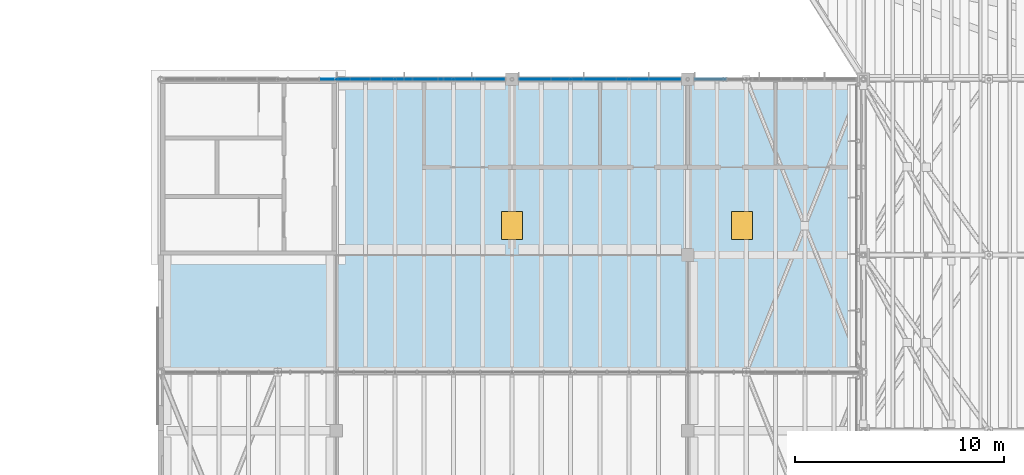
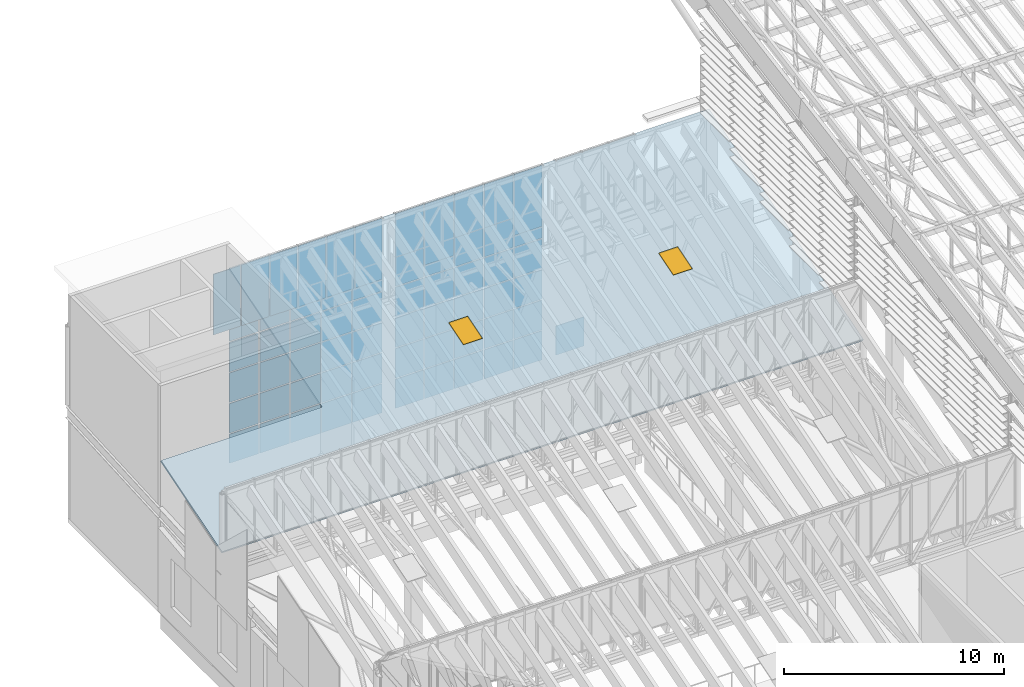
# One storey, part 61 of 91: 62 plates, 2 windows, 1 slab, 2 openings, 5 elements without a shape of their own.
"""IFC4 building model written with IfcOpenShell, lengths in metres."""

from ifc_helpers import new_model, si_unit, direction, frame, origin, origin_2d, place, context, subcontext, project, spatial, polyline, rectangle, outline, extrude, material, layer, layer_set, type_object, element, fill, aggregate, save


model = new_model("IFC4")

# Units and contexts
model_context = context("Model", 3, precision=1e-05, world=origin(), true_north=direction((0.0, 1.0)))
body_context = subcontext(model_context, "Body", "Model", "MODEL_VIEW")
ifc_project = project(units=[si_unit("LENGTHUNIT", "METRE"), si_unit("AREAUNIT", "SQUARE_METRE"), si_unit("VOLUMEUNIT", "CUBIC_METRE"), si_unit("PLANEANGLEUNIT", "RADIAN"), si_unit("MASSUNIT", "GRAM", prefix="KILO")], contexts=[model_context])

# Site, building, storey
site_placement = place(None, origin())
site = spatial("IfcSite", under=ifc_project, at=site_placement, CompositionType="ELEMENT")
building_placement = place(site_placement, origin())
building = spatial("IfcBuilding", under=site, at=building_placement, Name="Almond Square Museum", CompositionType="ELEMENT")
storey_placement = place(building_placement, frame((0.0, 0.0, 30.0)))
storey = spatial("IfcBuildingStorey", under=building, at=storey_placement, Name="L05", CompositionType="ELEMENT", Elevation=30.0)

# Slab, openings, windows
ifc_material_1 = material(Name="Insulated aluminium roof deck", Category="aluminium")
ifc_layer_1 = layer(ifc_material_1, 0.10009765625)
ifc_layer_set_1 = layer_set([ifc_layer_1], Name="Insulated aluminium roof deck")
slab_type = type_object("IfcSlabType", Name="Insulated metal deck roof 100", PredefinedType="ROOF", material=ifc_layer_set_1)
slab_placement = place(storey_placement, frame((106.800048828125, 109.199951171875, 10.880126953125), z_axis=(-1.046364e-06, -0.292359863187, 0.956308376203), x_axis=(1e-12, -0.956308376204, -0.292359863187)))
slab = element("IfcSlab", 1, at=slab_placement, inside=storey, type_object=slab_type, Name="Roof covering AR3", PredefinedType="ROOF", context=body_context, shape_type="SweptSolid", body=[
    extrude(outline(polyline([(0.0, 0.0), (14.63962604652195, 8.470329472543003e-22), (14.639626046497412, -33.600097656231604), (8.835998271744621, -33.60009765619506), (8.835998271750757, -25.19995117182466), (8.835764798026101, -25.195068359399354), (8.834992999932403, -25.190185546879118), (8.83375425438939, -25.18554687513325), (8.831977184477331, -25.18090820329246), (8.829895263920893, -25.176513671907053), (8.827346395915134, -25.17236328129602), (8.824259203540334, -25.168457031215063), (8.820705063716215, -25.16455078128347), (8.816846073247715, -25.161376953057275), (8.812753609054555, -25.15844726553076), (8.808427671136736, -25.156005859328932), (8.803634785769598, -25.153808593901474), (8.799003997207393, -25.152343750030035), (8.793906261195872, -25.151123046932963), (8.78880852518435, -25.150146484460894), (8.783710789172828, -25.15014648448883), (-1.8367208674352804e-11, -25.150146484361233), (0.0, 0.0)])), origin(), (0.0, 0.0, -1.0), 0.10009765625),
])
opening_1_placement = place(slab_placement, frame((7.31982421875, -16.800048828125, 0.010009765625), z_axis=(0.0, 0.0, -1.0), x_axis=(3.422656e-06, 0.999999999994, 0.0)))
opening_1 = element("IfcOpeningElement", 2, at=opening_1_placement, cuts=slab, Name="Opening RL16", PredefinedType="OPENING", context=body_context, shape_type="SweptSolid", body=[
    extrude(rectangle(XDim=1.0, YDim=1.39990234375, at=origin_2d()), origin(), (0.0, 0.0, 1.0), 0.1201171875),
])
opening_2_placement = place(slab_placement, frame((7.31982421875, -5.800048828125, 0.010009765625), z_axis=(0.0, 0.0, -1.0), x_axis=(3.422656e-06, 0.999999999994, 0.0)))
opening_2 = element("IfcOpeningElement", 3, at=opening_2_placement, cuts=slab, Name="Opening RL17", PredefinedType="OPENING", context=body_context, shape_type="SweptSolid", body=[
    extrude(rectangle(XDim=1.0, YDim=1.39990234375, at=origin_2d()), origin(), (0.0, 0.0, 1.0), 0.1201171875),
])
ifc_material_2 = material(Name="Aluminium frame and laminated glass", Category="aluminium")
window_type = type_object("IfcWindowType", Name="Rooflight 1000 x 1400", PartitioningType="SINGLE_PANEL", PredefinedType="SKYLIGHT", material=ifc_material_2)
window_1_placement = place(opening_1_placement, frame((0.0, 0.0, 0.010009765625)))
window_1 = element("IfcWindow", 4, at=window_1_placement, inside=storey, type_object=window_type, Name="Rooflight", OverallHeight=1.39990234375, OverallWidth=1.0, PartitioningType="SINGLE_PANEL", PredefinedType="SKYLIGHT", context=body_context, shape_type="SweptSolid", body=[
    extrude(rectangle(XDim=1.0, YDim=1.39990234375, at=origin_2d()), origin(), (0.0, 0.0, 1.0), 0.050048828125),
])
fill(opening_1, window_1)
window_2_placement = place(opening_2_placement, frame((0.0, 0.0, 0.010009765625)))
window_2 = element("IfcWindow", 5, at=window_2_placement, inside=storey, type_object=window_type, Name="Rooflight", OverallHeight=1.39990234375, OverallWidth=1.0, PartitioningType="SINGLE_PANEL", PredefinedType="SKYLIGHT", context=body_context, shape_type="SweptSolid", body=[
    extrude(rectangle(XDim=1.0, YDim=1.39990234375, at=origin_2d()), origin(), (0.0, 0.0, 1.0), 0.050048828125),
])
fill(opening_2, window_2)

# Curtain wall, plate
ifc_material_3 = material(Name="Aluminium and laminated glass", Category="aluminium")
curtain_wall_type = type_object("IfcCurtainWallType", Name="Unitised curtain wall 1500 module", PredefinedType="NOTDEFINED", material=ifc_material_3)
curtain_wall_1_placement = place(storey_placement, origin())
curtain_wall_1 = element("IfcCurtainWall", 6, at=curtain_wall_1_placement, inside=storey, type_object=curtain_wall_type, Name="Curtain wall CW-53", PredefinedType="NOTDEFINED")
ifc_material_4 = material(Name="Laminated hurricane-rated glass", Category="glass")
ifc_layer_2 = layer(ifc_material_4, 0.035888671875)
ifc_layer_set_2 = layer_set([ifc_layer_2], Name="Laminated hurricane-rated glass")
plate_type = type_object("IfcPlateType", Name="Laminated glass panel 36", PredefinedType="CURTAIN_PANEL", material=ifc_layer_set_2)
plate_1_placement = place(storey_placement, frame((99.4951171875, 109.199951171875, 0.06005859375), z_axis=(0.0, 0.0, 1.0), x_axis=(1.0, 0.0, 0.0)))
plate_1 = element("IfcPlate", 7, at=plate_1_placement, type_object=plate_type, Name="CW-53 panel 1.1", PredefinedType="CURTAIN_PANEL", context=body_context, shape_type="SweptSolid", body=[
    extrude(rectangle(XDim=1.469970703125, YDim=0.035888671875, at=origin_2d()), origin(), (0.0, 0.0, 1.0), 1.60595703125),
])
aggregate(curtain_wall_1, [plate_1])

# Curtain wall, plates
curtain_wall_2_placement = place(storey_placement, origin())
curtain_wall_2 = element("IfcCurtainWall", 8, at=curtain_wall_2_placement, inside=storey, type_object=curtain_wall_type, Name="Curtain wall CW-54", PredefinedType="NOTDEFINED")
plate_2_placement = place(storey_placement, frame((91.094970703125, 109.199951171875, 0.06005859375), z_axis=(0.0, 0.0, 1.0), x_axis=(1.0, 0.0, 0.0)))
plate_2 = element("IfcPlate", 9, at=plate_2_placement, type_object=plate_type, Name="CW-54 panel 1.1", PredefinedType="CURTAIN_PANEL", context=body_context, shape_type="SweptSolid", body=[
    extrude(rectangle(XDim=1.469970703125, YDim=0.035888671875, at=origin_2d()), origin(), (0.0, 0.0, 1.0), 1.60595703125),
])
plate_3_placement = place(storey_placement, frame((91.094970703125, 109.199951171875, 1.72607421875), z_axis=(0.0, 0.0, 1.0), x_axis=(1.0, 0.0, 0.0)))
plate_3 = element("IfcPlate", 10, at=plate_3_placement, type_object=plate_type, Name="CW-54 panel 1.2", PredefinedType="CURTAIN_PANEL", context=body_context, shape_type="SweptSolid", body=[
    extrude(rectangle(XDim=1.469970703125, YDim=0.035888671875, at=origin_2d()), origin(), (0.0, 0.0, 1.0), 1.635986328125),
])
plate_4_placement = place(storey_placement, frame((91.094970703125, 109.199951171875, 3.42236328125), z_axis=(0.0, 0.0, 1.0), x_axis=(1.0, 0.0, 0.0)))
plate_4 = element("IfcPlate", 11, at=plate_4_placement, type_object=plate_type, Name="CW-54 panel 1.3", PredefinedType="CURTAIN_PANEL", context=body_context, shape_type="SweptSolid", body=[
    extrude(rectangle(XDim=1.469970703125, YDim=0.035888671875, at=origin_2d()), origin(), (0.0, 0.0, 1.0), 1.635986328125),
])
plate_5_placement = place(storey_placement, frame((91.094970703125, 109.199951171875, 5.1181640625), z_axis=(0.0, 0.0, 1.0), x_axis=(1.0, 0.0, 0.0)))
plate_5 = element("IfcPlate", 12, at=plate_5_placement, type_object=plate_type, Name="CW-54 panel 1.4", PredefinedType="CURTAIN_PANEL", context=body_context, shape_type="SweptSolid", body=[
    extrude(rectangle(XDim=1.469970703125, YDim=0.035888671875, at=origin_2d()), origin(), (0.0, 0.0, 1.0), 1.635986328125),
])
plate_6_placement = place(storey_placement, frame((91.094970703125, 109.199951171875, 6.814208984375), z_axis=(0.0, 0.0, 1.0), x_axis=(1.0, 0.0, 0.0)))
plate_6 = element("IfcPlate", 13, at=plate_6_placement, type_object=plate_type, Name="CW-54 panel 1.5", PredefinedType="CURTAIN_PANEL", context=body_context, shape_type="SweptSolid", body=[
    extrude(rectangle(XDim=1.469970703125, YDim=0.035888671875, at=origin_2d()), origin(), (0.0, 0.0, 1.0), 1.60595703125),
])
plate_7_placement = place(storey_placement, frame((92.639892578125, 109.199951171875, 0.06005859375), z_axis=(0.0, 0.0, 1.0), x_axis=(1.0, 0.0, 0.0)))
plate_7 = element("IfcPlate", 14, at=plate_7_placement, type_object=plate_type, Name="CW-54 panel 2.1", PredefinedType="CURTAIN_PANEL", context=body_context, shape_type="SweptSolid", body=[
    extrude(rectangle(XDim=1.5, YDim=0.035888671875, at=origin_2d()), origin(), (0.0, 0.0, 1.0), 1.60595703125),
])
plate_8_placement = place(storey_placement, frame((92.639892578125, 109.199951171875, 1.72607421875), z_axis=(0.0, 0.0, 1.0), x_axis=(1.0, 0.0, 0.0)))
plate_8 = element("IfcPlate", 15, at=plate_8_placement, type_object=plate_type, Name="CW-54 panel 2.2", PredefinedType="CURTAIN_PANEL", context=body_context, shape_type="SweptSolid", body=[
    extrude(rectangle(XDim=1.5, YDim=0.035888671875, at=origin_2d()), origin(), (0.0, 0.0, 1.0), 1.635986328125),
])
plate_9_placement = place(storey_placement, frame((92.639892578125, 109.199951171875, 3.42236328125), z_axis=(0.0, 0.0, 1.0), x_axis=(1.0, 0.0, 0.0)))
plate_9 = element("IfcPlate", 16, at=plate_9_placement, type_object=plate_type, Name="CW-54 panel 2.3", PredefinedType="CURTAIN_PANEL", context=body_context, shape_type="SweptSolid", body=[
    extrude(rectangle(XDim=1.5, YDim=0.035888671875, at=origin_2d()), origin(), (0.0, 0.0, 1.0), 1.635986328125),
])
plate_10_placement = place(storey_placement, frame((92.639892578125, 109.199951171875, 5.1181640625), z_axis=(0.0, 0.0, 1.0), x_axis=(1.0, 0.0, 0.0)))
plate_10 = element("IfcPlate", 17, at=plate_10_placement, type_object=plate_type, Name="CW-54 panel 2.4", PredefinedType="CURTAIN_PANEL", context=body_context, shape_type="SweptSolid", body=[
    extrude(rectangle(XDim=1.5, YDim=0.035888671875, at=origin_2d()), origin(), (0.0, 0.0, 1.0), 1.635986328125),
])
plate_11_placement = place(storey_placement, frame((92.639892578125, 109.199951171875, 6.814208984375), z_axis=(0.0, 0.0, 1.0), x_axis=(1.0, 0.0, 0.0)))
plate_11 = element("IfcPlate", 18, at=plate_11_placement, type_object=plate_type, Name="CW-54 panel 2.5", PredefinedType="CURTAIN_PANEL", context=body_context, shape_type="SweptSolid", body=[
    extrude(rectangle(XDim=1.5, YDim=0.035888671875, at=origin_2d()), origin(), (0.0, 0.0, 1.0), 1.60595703125),
])
plate_12_placement = place(storey_placement, frame((94.199951171875, 109.199951171875, 0.06005859375), z_axis=(0.0, 0.0, 1.0), x_axis=(1.0, 0.0, 0.0)))
plate_12 = element("IfcPlate", 19, at=plate_12_placement, type_object=plate_type, Name="CW-54 panel 3.1", PredefinedType="CURTAIN_PANEL", context=body_context, shape_type="SweptSolid", body=[
    extrude(rectangle(XDim=1.5, YDim=0.035888671875, at=origin_2d()), origin(), (0.0, 0.0, 1.0), 1.60595703125),
])
plate_13_placement = place(storey_placement, frame((94.199951171875, 109.199951171875, 1.72607421875), z_axis=(0.0, 0.0, 1.0), x_axis=(1.0, 0.0, 0.0)))
plate_13 = element("IfcPlate", 20, at=plate_13_placement, type_object=plate_type, Name="CW-54 panel 3.2", PredefinedType="CURTAIN_PANEL", context=body_context, shape_type="SweptSolid", body=[
    extrude(rectangle(XDim=1.5, YDim=0.035888671875, at=origin_2d()), origin(), (0.0, 0.0, 1.0), 1.635986328125),
])
plate_14_placement = place(storey_placement, frame((94.199951171875, 109.199951171875, 3.42236328125), z_axis=(0.0, 0.0, 1.0), x_axis=(1.0, 0.0, 0.0)))
plate_14 = element("IfcPlate", 21, at=plate_14_placement, type_object=plate_type, Name="CW-54 panel 3.3", PredefinedType="CURTAIN_PANEL", context=body_context, shape_type="SweptSolid", body=[
    extrude(rectangle(XDim=1.5, YDim=0.035888671875, at=origin_2d()), origin(), (0.0, 0.0, 1.0), 1.635986328125),
])
plate_15_placement = place(storey_placement, frame((94.199951171875, 109.199951171875, 5.1181640625), z_axis=(0.0, 0.0, 1.0), x_axis=(1.0, 0.0, 0.0)))
plate_15 = element("IfcPlate", 22, at=plate_15_placement, type_object=plate_type, Name="CW-54 panel 3.4", PredefinedType="CURTAIN_PANEL", context=body_context, shape_type="SweptSolid", body=[
    extrude(rectangle(XDim=1.5, YDim=0.035888671875, at=origin_2d()), origin(), (0.0, 0.0, 1.0), 1.635986328125),
])
plate_16_placement = place(storey_placement, frame((94.199951171875, 109.199951171875, 6.814208984375), z_axis=(0.0, 0.0, 1.0), x_axis=(1.0, 0.0, 0.0)))
plate_16 = element("IfcPlate", 23, at=plate_16_placement, type_object=plate_type, Name="CW-54 panel 3.5", PredefinedType="CURTAIN_PANEL", context=body_context, shape_type="SweptSolid", body=[
    extrude(rectangle(XDim=1.5, YDim=0.035888671875, at=origin_2d()), origin(), (0.0, 0.0, 1.0), 1.60595703125),
])
plate_17_placement = place(storey_placement, frame((95.760009765625, 109.199951171875, 0.06005859375), z_axis=(0.0, 0.0, 1.0), x_axis=(1.0, 0.0, 0.0)))
plate_17 = element("IfcPlate", 24, at=plate_17_placement, type_object=plate_type, Name="CW-54 panel 4.1", PredefinedType="CURTAIN_PANEL", context=body_context, shape_type="SweptSolid", body=[
    extrude(rectangle(XDim=1.5, YDim=0.035888671875, at=origin_2d()), origin(), (0.0, 0.0, 1.0), 1.60595703125),
])
plate_18_placement = place(storey_placement, frame((95.760009765625, 109.199951171875, 1.72607421875), z_axis=(0.0, 0.0, 1.0), x_axis=(1.0, 0.0, 0.0)))
plate_18 = element("IfcPlate", 25, at=plate_18_placement, type_object=plate_type, Name="CW-54 panel 4.2", PredefinedType="CURTAIN_PANEL", context=body_context, shape_type="SweptSolid", body=[
    extrude(rectangle(XDim=1.5, YDim=0.035888671875, at=origin_2d()), origin(), (0.0, 0.0, 1.0), 1.635986328125),
])
plate_19_placement = place(storey_placement, frame((95.760009765625, 109.199951171875, 3.42236328125), z_axis=(0.0, 0.0, 1.0), x_axis=(1.0, 0.0, 0.0)))
plate_19 = element("IfcPlate", 26, at=plate_19_placement, type_object=plate_type, Name="CW-54 panel 4.3", PredefinedType="CURTAIN_PANEL", context=body_context, shape_type="SweptSolid", body=[
    extrude(rectangle(XDim=1.5, YDim=0.035888671875, at=origin_2d()), origin(), (0.0, 0.0, 1.0), 1.635986328125),
])
plate_20_placement = place(storey_placement, frame((95.760009765625, 109.199951171875, 5.1181640625), z_axis=(0.0, 0.0, 1.0), x_axis=(1.0, 0.0, 0.0)))
plate_20 = element("IfcPlate", 27, at=plate_20_placement, type_object=plate_type, Name="CW-54 panel 4.4", PredefinedType="CURTAIN_PANEL", context=body_context, shape_type="SweptSolid", body=[
    extrude(rectangle(XDim=1.5, YDim=0.035888671875, at=origin_2d()), origin(), (0.0, 0.0, 1.0), 1.635986328125),
])
plate_21_placement = place(storey_placement, frame((95.760009765625, 109.199951171875, 6.814208984375), z_axis=(0.0, 0.0, 1.0), x_axis=(1.0, 0.0, 0.0)))
plate_21 = element("IfcPlate", 28, at=plate_21_placement, type_object=plate_type, Name="CW-54 panel 4.5", PredefinedType="CURTAIN_PANEL", context=body_context, shape_type="SweptSolid", body=[
    extrude(rectangle(XDim=1.5, YDim=0.035888671875, at=origin_2d()), origin(), (0.0, 0.0, 1.0), 1.60595703125),
])
plate_22_placement = place(storey_placement, frame((97.304931640625, 109.199951171875, 0.06005859375), z_axis=(0.0, 0.0, 1.0), x_axis=(1.0, 0.0, 0.0)))
plate_22 = element("IfcPlate", 29, at=plate_22_placement, type_object=plate_type, Name="CW-54 panel 5.1", PredefinedType="CURTAIN_PANEL", context=body_context, shape_type="SweptSolid", body=[
    extrude(rectangle(XDim=1.469970703125, YDim=0.035888671875, at=origin_2d()), origin(), (0.0, 0.0, 1.0), 1.60595703125),
])
plate_23_placement = place(storey_placement, frame((97.304931640625, 109.199951171875, 1.72607421875), z_axis=(0.0, 0.0, 1.0), x_axis=(1.0, 0.0, 0.0)))
plate_23 = element("IfcPlate", 30, at=plate_23_placement, type_object=plate_type, Name="CW-54 panel 5.2", PredefinedType="CURTAIN_PANEL", context=body_context, shape_type="SweptSolid", body=[
    extrude(rectangle(XDim=1.469970703125, YDim=0.035888671875, at=origin_2d()), origin(), (0.0, 0.0, 1.0), 1.635986328125),
])
plate_24_placement = place(storey_placement, frame((97.304931640625, 109.199951171875, 3.42236328125), z_axis=(0.0, 0.0, 1.0), x_axis=(1.0, 0.0, 0.0)))
plate_24 = element("IfcPlate", 31, at=plate_24_placement, type_object=plate_type, Name="CW-54 panel 5.3", PredefinedType="CURTAIN_PANEL", context=body_context, shape_type="SweptSolid", body=[
    extrude(rectangle(XDim=1.469970703125, YDim=0.035888671875, at=origin_2d()), origin(), (0.0, 0.0, 1.0), 1.635986328125),
])
plate_25_placement = place(storey_placement, frame((97.304931640625, 109.199951171875, 5.1181640625), z_axis=(0.0, 0.0, 1.0), x_axis=(1.0, 0.0, 0.0)))
plate_25 = element("IfcPlate", 32, at=plate_25_placement, type_object=plate_type, Name="CW-54 panel 5.4", PredefinedType="CURTAIN_PANEL", context=body_context, shape_type="SweptSolid", body=[
    extrude(rectangle(XDim=1.469970703125, YDim=0.035888671875, at=origin_2d()), origin(), (0.0, 0.0, 1.0), 1.635986328125),
])
plate_26_placement = place(storey_placement, frame((97.304931640625, 109.199951171875, 6.814208984375), z_axis=(0.0, 0.0, 1.0), x_axis=(1.0, 0.0, 0.0)))
plate_26 = element("IfcPlate", 33, at=plate_26_placement, type_object=plate_type, Name="CW-54 panel 5.5", PredefinedType="CURTAIN_PANEL", context=body_context, shape_type="SweptSolid", body=[
    extrude(rectangle(XDim=1.469970703125, YDim=0.035888671875, at=origin_2d()), origin(), (0.0, 0.0, 1.0), 1.60595703125),
])
aggregate(curtain_wall_2, [plate_2, plate_3, plate_4, plate_5, plate_6, plate_7, plate_8, plate_9, plate_10, plate_11, plate_12, plate_13, plate_14, plate_15, plate_16, plate_17, plate_18, plate_19, plate_20, plate_21, plate_22, plate_23, plate_24, plate_25, plate_26])

curtain_wall_3_placement = place(storey_placement, origin())
curtain_wall_3 = element("IfcCurtainWall", 34, at=curtain_wall_3_placement, inside=storey, type_object=curtain_wall_type, Name="Curtain wall CW-55", PredefinedType="NOTDEFINED")
plate_27_placement = place(storey_placement, frame((82.425048828125, 109.199951171875, 0.06005859375), z_axis=(0.0, 0.0, 1.0), x_axis=(1.0, 0.0, 0.0)))
plate_27 = element("IfcPlate", 35, at=plate_27_placement, type_object=plate_type, Name="CW-55 panel 1.1", PredefinedType="CURTAIN_PANEL", context=body_context, shape_type="SweptSolid", body=[
    extrude(rectangle(XDim=1.530029296875, YDim=0.035888671875, at=origin_2d()), origin(), (0.0, 0.0, 1.0), 1.60595703125),
])
plate_28_placement = place(storey_placement, frame((82.425048828125, 109.199951171875, 1.72607421875), z_axis=(0.0, 0.0, 1.0), x_axis=(1.0, 0.0, 0.0)))
plate_28 = element("IfcPlate", 36, at=plate_28_placement, type_object=plate_type, Name="CW-55 panel 1.2", PredefinedType="CURTAIN_PANEL", context=body_context, shape_type="SweptSolid", body=[
    extrude(rectangle(XDim=1.530029296875, YDim=0.035888671875, at=origin_2d()), origin(), (0.0, 0.0, 1.0), 1.635986328125),
])
plate_29_placement = place(storey_placement, frame((82.425048828125, 109.199951171875, 3.42236328125), z_axis=(0.0, 0.0, 1.0), x_axis=(1.0, 0.0, 0.0)))
plate_29 = element("IfcPlate", 37, at=plate_29_placement, type_object=plate_type, Name="CW-55 panel 1.3", PredefinedType="CURTAIN_PANEL", context=body_context, shape_type="SweptSolid", body=[
    extrude(rectangle(XDim=1.530029296875, YDim=0.035888671875, at=origin_2d()), origin(), (0.0, 0.0, 1.0), 1.635986328125),
])
plate_30_placement = place(storey_placement, frame((82.425048828125, 109.199951171875, 5.1181640625), z_axis=(0.0, 0.0, 1.0), x_axis=(1.0, 0.0, 0.0)))
plate_30 = element("IfcPlate", 38, at=plate_30_placement, type_object=plate_type, Name="CW-55 panel 1.4", PredefinedType="CURTAIN_PANEL", context=body_context, shape_type="SweptSolid", body=[
    extrude(rectangle(XDim=1.530029296875, YDim=0.035888671875, at=origin_2d()), origin(), (0.0, 0.0, 1.0), 1.635986328125),
])
plate_31_placement = place(storey_placement, frame((82.425048828125, 109.199951171875, 6.814208984375), z_axis=(0.0, 0.0, 1.0), x_axis=(1.0, 0.0, 0.0)))
plate_31 = element("IfcPlate", 39, at=plate_31_placement, type_object=plate_type, Name="CW-55 panel 1.5", PredefinedType="CURTAIN_PANEL", context=body_context, shape_type="SweptSolid", body=[
    extrude(rectangle(XDim=1.530029296875, YDim=0.035888671875, at=origin_2d()), origin(), (0.0, 0.0, 1.0), 1.60595703125),
])
plate_32_placement = place(storey_placement, frame((84.030029296875, 109.199951171875, 0.06005859375), z_axis=(0.0, 0.0, 1.0), x_axis=(1.0, 0.0, 0.0)))
plate_32 = element("IfcPlate", 40, at=plate_32_placement, type_object=plate_type, Name="CW-55 panel 2.1", PredefinedType="CURTAIN_PANEL", context=body_context, shape_type="SweptSolid", body=[
    extrude(rectangle(XDim=1.56005859375, YDim=0.035888671875, at=origin_2d()), origin(), (0.0, 0.0, 1.0), 1.60595703125),
])
plate_33_placement = place(storey_placement, frame((84.030029296875, 109.199951171875, 1.72607421875), z_axis=(0.0, 0.0, 1.0), x_axis=(1.0, 0.0, 0.0)))
plate_33 = element("IfcPlate", 41, at=plate_33_placement, type_object=plate_type, Name="CW-55 panel 2.2", PredefinedType="CURTAIN_PANEL", context=body_context, shape_type="SweptSolid", body=[
    extrude(rectangle(XDim=1.56005859375, YDim=0.035888671875, at=origin_2d()), origin(), (0.0, 0.0, 1.0), 1.635986328125),
])
plate_34_placement = place(storey_placement, frame((84.030029296875, 109.199951171875, 3.42236328125), z_axis=(0.0, 0.0, 1.0), x_axis=(1.0, 0.0, 0.0)))
plate_34 = element("IfcPlate", 42, at=plate_34_placement, type_object=plate_type, Name="CW-55 panel 2.3", PredefinedType="CURTAIN_PANEL", context=body_context, shape_type="SweptSolid", body=[
    extrude(rectangle(XDim=1.56005859375, YDim=0.035888671875, at=origin_2d()), origin(), (0.0, 0.0, 1.0), 1.635986328125),
])
plate_35_placement = place(storey_placement, frame((84.030029296875, 109.199951171875, 5.1181640625), z_axis=(0.0, 0.0, 1.0), x_axis=(1.0, 0.0, 0.0)))
plate_35 = element("IfcPlate", 43, at=plate_35_placement, type_object=plate_type, Name="CW-55 panel 2.4", PredefinedType="CURTAIN_PANEL", context=body_context, shape_type="SweptSolid", body=[
    extrude(rectangle(XDim=1.56005859375, YDim=0.035888671875, at=origin_2d()), origin(), (0.0, 0.0, 1.0), 1.635986328125),
])
plate_36_placement = place(storey_placement, frame((84.030029296875, 109.199951171875, 6.814208984375), z_axis=(0.0, 0.0, 1.0), x_axis=(1.0, 0.0, 0.0)))
plate_36 = element("IfcPlate", 44, at=plate_36_placement, type_object=plate_type, Name="CW-55 panel 2.5", PredefinedType="CURTAIN_PANEL", context=body_context, shape_type="SweptSolid", body=[
    extrude(rectangle(XDim=1.56005859375, YDim=0.035888671875, at=origin_2d()), origin(), (0.0, 0.0, 1.0), 1.60595703125),
])
plate_37_placement = place(storey_placement, frame((85.64990234375, 109.199951171875, 0.06005859375), z_axis=(0.0, 0.0, 1.0), x_axis=(1.0, 0.0, 0.0)))
plate_37 = element("IfcPlate", 45, at=plate_37_placement, type_object=plate_type, Name="CW-55 panel 3.1", PredefinedType="CURTAIN_PANEL", context=body_context, shape_type="SweptSolid", body=[
    extrude(rectangle(XDim=1.56005859375, YDim=0.035888671875, at=origin_2d()), origin(), (0.0, 0.0, 1.0), 1.60595703125),
])
plate_38_placement = place(storey_placement, frame((85.64990234375, 109.199951171875, 1.72607421875), z_axis=(0.0, 0.0, 1.0), x_axis=(1.0, 0.0, 0.0)))
plate_38 = element("IfcPlate", 46, at=plate_38_placement, type_object=plate_type, Name="CW-55 panel 3.2", PredefinedType="CURTAIN_PANEL", context=body_context, shape_type="SweptSolid", body=[
    extrude(rectangle(XDim=1.56005859375, YDim=0.035888671875, at=origin_2d()), origin(), (0.0, 0.0, 1.0), 1.635986328125),
])
plate_39_placement = place(storey_placement, frame((85.64990234375, 109.199951171875, 3.42236328125), z_axis=(0.0, 0.0, 1.0), x_axis=(1.0, 0.0, 0.0)))
plate_39 = element("IfcPlate", 47, at=plate_39_placement, type_object=plate_type, Name="CW-55 panel 3.3", PredefinedType="CURTAIN_PANEL", context=body_context, shape_type="SweptSolid", body=[
    extrude(rectangle(XDim=1.56005859375, YDim=0.035888671875, at=origin_2d()), origin(), (0.0, 0.0, 1.0), 1.635986328125),
])
plate_40_placement = place(storey_placement, frame((85.64990234375, 109.199951171875, 5.1181640625), z_axis=(0.0, 0.0, 1.0), x_axis=(1.0, 0.0, 0.0)))
plate_40 = element("IfcPlate", 48, at=plate_40_placement, type_object=plate_type, Name="CW-55 panel 3.4", PredefinedType="CURTAIN_PANEL", context=body_context, shape_type="SweptSolid", body=[
    extrude(rectangle(XDim=1.56005859375, YDim=0.035888671875, at=origin_2d()), origin(), (0.0, 0.0, 1.0), 1.635986328125),
])
plate_41_placement = place(storey_placement, frame((85.64990234375, 109.199951171875, 6.814208984375), z_axis=(0.0, 0.0, 1.0), x_axis=(1.0, 0.0, 0.0)))
plate_41 = element("IfcPlate", 49, at=plate_41_placement, type_object=plate_type, Name="CW-55 panel 3.5", PredefinedType="CURTAIN_PANEL", context=body_context, shape_type="SweptSolid", body=[
    extrude(rectangle(XDim=1.56005859375, YDim=0.035888671875, at=origin_2d()), origin(), (0.0, 0.0, 1.0), 1.60595703125),
])
plate_42_placement = place(storey_placement, frame((87.27001953125, 109.199951171875, 0.06005859375), z_axis=(0.0, 0.0, 1.0), x_axis=(1.0, 0.0, 0.0)))
plate_42 = element("IfcPlate", 50, at=plate_42_placement, type_object=plate_type, Name="CW-55 panel 4.1", PredefinedType="CURTAIN_PANEL", context=body_context, shape_type="SweptSolid", body=[
    extrude(rectangle(XDim=1.56005859375, YDim=0.035888671875, at=origin_2d()), origin(), (0.0, 0.0, 1.0), 1.60595703125),
])
plate_43_placement = place(storey_placement, frame((87.27001953125, 109.199951171875, 1.72607421875), z_axis=(0.0, 0.0, 1.0), x_axis=(1.0, 0.0, 0.0)))
plate_43 = element("IfcPlate", 51, at=plate_43_placement, type_object=plate_type, Name="CW-55 panel 4.2", PredefinedType="CURTAIN_PANEL", context=body_context, shape_type="SweptSolid", body=[
    extrude(rectangle(XDim=1.56005859375, YDim=0.035888671875, at=origin_2d()), origin(), (0.0, 0.0, 1.0), 1.635986328125),
])
plate_44_placement = place(storey_placement, frame((87.27001953125, 109.199951171875, 3.42236328125), z_axis=(0.0, 0.0, 1.0), x_axis=(1.0, 0.0, 0.0)))
plate_44 = element("IfcPlate", 52, at=plate_44_placement, type_object=plate_type, Name="CW-55 panel 4.3", PredefinedType="CURTAIN_PANEL", context=body_context, shape_type="SweptSolid", body=[
    extrude(rectangle(XDim=1.56005859375, YDim=0.035888671875, at=origin_2d()), origin(), (0.0, 0.0, 1.0), 1.635986328125),
])
plate_45_placement = place(storey_placement, frame((87.27001953125, 109.199951171875, 5.1181640625), z_axis=(0.0, 0.0, 1.0), x_axis=(1.0, 0.0, 0.0)))
plate_45 = element("IfcPlate", 53, at=plate_45_placement, type_object=plate_type, Name="CW-55 panel 4.4", PredefinedType="CURTAIN_PANEL", context=body_context, shape_type="SweptSolid", body=[
    extrude(rectangle(XDim=1.56005859375, YDim=0.035888671875, at=origin_2d()), origin(), (0.0, 0.0, 1.0), 1.635986328125),
])
plate_46_placement = place(storey_placement, frame((87.27001953125, 109.199951171875, 6.814208984375), z_axis=(0.0, 0.0, 1.0), x_axis=(1.0, 0.0, 0.0)))
plate_46 = element("IfcPlate", 54, at=plate_46_placement, type_object=plate_type, Name="CW-55 panel 4.5", PredefinedType="CURTAIN_PANEL", context=body_context, shape_type="SweptSolid", body=[
    extrude(rectangle(XDim=1.56005859375, YDim=0.035888671875, at=origin_2d()), origin(), (0.0, 0.0, 1.0), 1.60595703125),
])
plate_47_placement = place(storey_placement, frame((88.875, 109.199951171875, 0.06005859375), z_axis=(0.0, 0.0, 1.0), x_axis=(1.0, 0.0, 0.0)))
plate_47 = element("IfcPlate", 55, at=plate_47_placement, type_object=plate_type, Name="CW-55 panel 5.1", PredefinedType="CURTAIN_PANEL", context=body_context, shape_type="SweptSolid", body=[
    extrude(rectangle(XDim=1.530029296875, YDim=0.035888671875, at=origin_2d()), origin(), (0.0, 0.0, 1.0), 1.60595703125),
])
plate_48_placement = place(storey_placement, frame((88.875, 109.199951171875, 1.72607421875), z_axis=(0.0, 0.0, 1.0), x_axis=(1.0, 0.0, 0.0)))
plate_48 = element("IfcPlate", 56, at=plate_48_placement, type_object=plate_type, Name="CW-55 panel 5.2", PredefinedType="CURTAIN_PANEL", context=body_context, shape_type="SweptSolid", body=[
    extrude(rectangle(XDim=1.530029296875, YDim=0.035888671875, at=origin_2d()), origin(), (0.0, 0.0, 1.0), 1.635986328125),
])
plate_49_placement = place(storey_placement, frame((88.875, 109.199951171875, 3.42236328125), z_axis=(0.0, 0.0, 1.0), x_axis=(1.0, 0.0, 0.0)))
plate_49 = element("IfcPlate", 57, at=plate_49_placement, type_object=plate_type, Name="CW-55 panel 5.3", PredefinedType="CURTAIN_PANEL", context=body_context, shape_type="SweptSolid", body=[
    extrude(rectangle(XDim=1.530029296875, YDim=0.035888671875, at=origin_2d()), origin(), (0.0, 0.0, 1.0), 1.635986328125),
])
plate_50_placement = place(storey_placement, frame((88.875, 109.199951171875, 5.1181640625), z_axis=(0.0, 0.0, 1.0), x_axis=(1.0, 0.0, 0.0)))
plate_50 = element("IfcPlate", 58, at=plate_50_placement, type_object=plate_type, Name="CW-55 panel 5.4", PredefinedType="CURTAIN_PANEL", context=body_context, shape_type="SweptSolid", body=[
    extrude(rectangle(XDim=1.530029296875, YDim=0.035888671875, at=origin_2d()), origin(), (0.0, 0.0, 1.0), 1.635986328125),
])
plate_51_placement = place(storey_placement, frame((88.875, 109.199951171875, 6.814208984375), z_axis=(0.0, 0.0, 1.0), x_axis=(1.0, 0.0, 0.0)))
plate_51 = element("IfcPlate", 59, at=plate_51_placement, type_object=plate_type, Name="CW-55 panel 5.5", PredefinedType="CURTAIN_PANEL", context=body_context, shape_type="SweptSolid", body=[
    extrude(rectangle(XDim=1.530029296875, YDim=0.035888671875, at=origin_2d()), origin(), (0.0, 0.0, 1.0), 1.60595703125),
])
aggregate(curtain_wall_3, [plate_27, plate_28, plate_29, plate_30, plate_31, plate_32, plate_33, plate_34, plate_35, plate_36, plate_37, plate_38, plate_39, plate_40, plate_41, plate_42, plate_43, plate_44, plate_45, plate_46, plate_47, plate_48, plate_49, plate_50, plate_51])

curtain_wall_4_placement = place(storey_placement, origin())
curtain_wall_4 = element("IfcCurtainWall", 60, at=curtain_wall_4_placement, inside=storey, type_object=curtain_wall_type, Name="Rooflight glazing AG3", PredefinedType="NOTDEFINED")
plate_52_placement = place(storey_placement, frame((81.52490234375, 109.199951171875, 7.4599609375), z_axis=(0.0, 0.0, 1.0), x_axis=(1.0, 0.0, 0.0)))
plate_52 = element("IfcPlate", 61, at=plate_52_placement, type_object=plate_type, Name="CW-58 panel 6.1", PredefinedType="CURTAIN_PANEL", context=body_context, shape_type="SweptSolid", body=[
    extrude(rectangle(XDim=1.42626953125, YDim=0.035888671875, at=origin_2d()), origin(), (0.0, 0.0, 1.0), 3.3603515625),
])
plate_53_placement = place(storey_placement, frame((83.011474609375, 109.199951171875, 7.4599609375), z_axis=(0.0, 0.0, 1.0), x_axis=(1.0, 0.0, 0.0)))
plate_53 = element("IfcPlate", 62, at=plate_53_placement, type_object=plate_type, Name="CW-58 panel 7.1", PredefinedType="CURTAIN_PANEL", context=body_context, shape_type="SweptSolid", body=[
    extrude(rectangle(XDim=1.42626953125, YDim=0.035888671875, at=origin_2d()), origin(), (0.0, 0.0, 1.0), 3.3603515625),
])
plate_54_placement = place(storey_placement, frame((84.497802734375, 109.199951171875, 7.4599609375), z_axis=(0.0, 0.0, 1.0), x_axis=(1.0, 0.0, 0.0)))
plate_54 = element("IfcPlate", 63, at=plate_54_placement, type_object=plate_type, Name="CW-58 panel 8.1", PredefinedType="CURTAIN_PANEL", context=body_context, shape_type="SweptSolid", body=[
    extrude(rectangle(XDim=1.42626953125, YDim=0.035888671875, at=origin_2d()), origin(), (0.0, 0.0, 1.0), 3.3603515625),
])
plate_55_placement = place(storey_placement, frame((85.984130859375, 109.199951171875, 7.4599609375), z_axis=(0.0, 0.0, 1.0), x_axis=(1.0, 0.0, 0.0)))
plate_55 = element("IfcPlate", 64, at=plate_55_placement, type_object=plate_type, Name="CW-58 panel 9.1", PredefinedType="CURTAIN_PANEL", context=body_context, shape_type="SweptSolid", body=[
    extrude(rectangle(XDim=1.42626953125, YDim=0.035888671875, at=origin_2d()), origin(), (0.0, 0.0, 1.0), 3.3603515625),
])
plate_56_placement = place(storey_placement, frame((87.470458984375, 109.199951171875, 7.4599609375), z_axis=(0.0, 0.0, 1.0), x_axis=(1.0, 0.0, 0.0)))
plate_56 = element("IfcPlate", 65, at=plate_56_placement, type_object=plate_type, Name="CW-58 panel 10.1", PredefinedType="CURTAIN_PANEL", context=body_context, shape_type="SweptSolid", body=[
    extrude(rectangle(XDim=1.42626953125, YDim=0.035888671875, at=origin_2d()), origin(), (0.0, 0.0, 1.0), 3.3603515625),
])
plate_57_placement = place(storey_placement, frame((88.94189453125, 109.199951171875, 7.4599609375), z_axis=(0.0, 0.0, 1.0), x_axis=(1.0, 0.0, 0.0)))
plate_57 = element("IfcPlate", 66, at=plate_57_placement, type_object=plate_type, Name="CW-58 panel 11.1", PredefinedType="CURTAIN_PANEL", context=body_context, shape_type="SweptSolid", body=[
    extrude(rectangle(XDim=1.396484375, YDim=0.035888671875, at=origin_2d()), origin(), (0.0, 0.0, 1.0), 3.3603515625),
])
aggregate(curtain_wall_4, [plate_52, plate_53, plate_54, plate_55, plate_56, plate_57])

curtain_wall_5_placement = place(storey_placement, origin())
curtain_wall_5 = element("IfcCurtainWall", 67, at=curtain_wall_5_placement, inside=storey, type_object=curtain_wall_type, Name="Rooflight glazing AG3", PredefinedType="NOTDEFINED")
plate_58_placement = place(storey_placement, frame((91.094970703125, 109.199951171875, 7.4599609375), z_axis=(0.0, 0.0, 1.0), x_axis=(1.0, 0.0, 0.0)))
plate_58 = element("IfcPlate", 68, at=plate_58_placement, type_object=plate_type, Name="CW-59 panel 1.1", PredefinedType="CURTAIN_PANEL", context=body_context, shape_type="SweptSolid", body=[
    extrude(rectangle(XDim=1.469970703125, YDim=0.035888671875, at=origin_2d()), origin(), (0.0, 0.0, 1.0), 3.3603515625),
])
plate_59_placement = place(storey_placement, frame((92.639892578125, 109.199951171875, 7.4599609375), z_axis=(0.0, 0.0, 1.0), x_axis=(1.0, 0.0, 0.0)))
plate_59 = element("IfcPlate", 69, at=plate_59_placement, type_object=plate_type, Name="CW-59 panel 2.1", PredefinedType="CURTAIN_PANEL", context=body_context, shape_type="SweptSolid", body=[
    extrude(rectangle(XDim=1.5, YDim=0.035888671875, at=origin_2d()), origin(), (0.0, 0.0, 1.0), 3.3603515625),
])
plate_60_placement = place(storey_placement, frame((94.199951171875, 109.199951171875, 7.4599609375), z_axis=(0.0, 0.0, 1.0), x_axis=(1.0, 0.0, 0.0)))
plate_60 = element("IfcPlate", 70, at=plate_60_placement, type_object=plate_type, Name="CW-59 panel 3.1", PredefinedType="CURTAIN_PANEL", context=body_context, shape_type="SweptSolid", body=[
    extrude(rectangle(XDim=1.5, YDim=0.035888671875, at=origin_2d()), origin(), (0.0, 0.0, 1.0), 3.3603515625),
])
plate_61_placement = place(storey_placement, frame((95.760009765625, 109.199951171875, 7.4599609375), z_axis=(0.0, 0.0, 1.0), x_axis=(1.0, 0.0, 0.0)))
plate_61 = element("IfcPlate", 71, at=plate_61_placement, type_object=plate_type, Name="CW-59 panel 4.1", PredefinedType="CURTAIN_PANEL", context=body_context, shape_type="SweptSolid", body=[
    extrude(rectangle(XDim=1.5, YDim=0.035888671875, at=origin_2d()), origin(), (0.0, 0.0, 1.0), 3.3603515625),
])
plate_62_placement = place(storey_placement, frame((97.304931640625, 109.199951171875, 7.4599609375), z_axis=(0.0, 0.0, 1.0), x_axis=(1.0, 0.0, 0.0)))
plate_62 = element("IfcPlate", 72, at=plate_62_placement, type_object=plate_type, Name="CW-59 panel 5.1", PredefinedType="CURTAIN_PANEL", context=body_context, shape_type="SweptSolid", body=[
    extrude(rectangle(XDim=1.469970703125, YDim=0.035888671875, at=origin_2d()), origin(), (0.0, 0.0, 1.0), 3.3603515625),
])
aggregate(curtain_wall_5, [plate_58, plate_59, plate_60, plate_61, plate_62])

save(model, "model.ifc")
